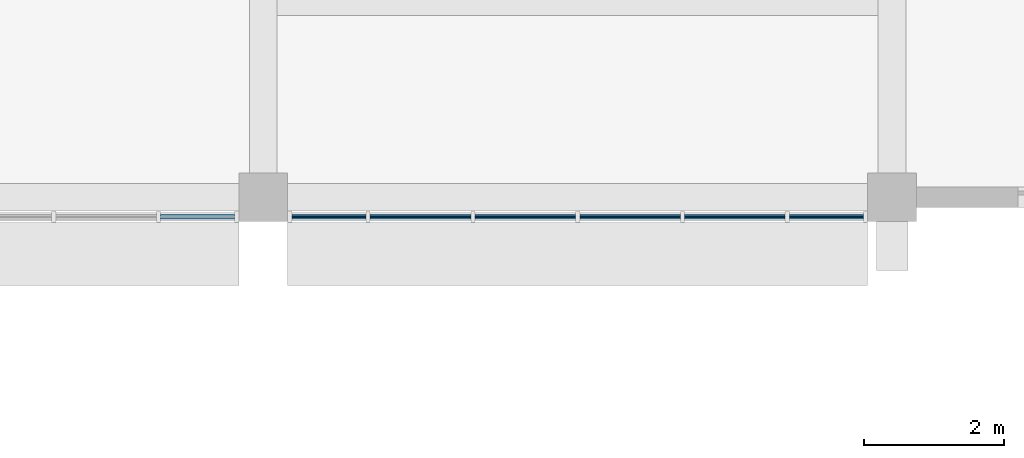
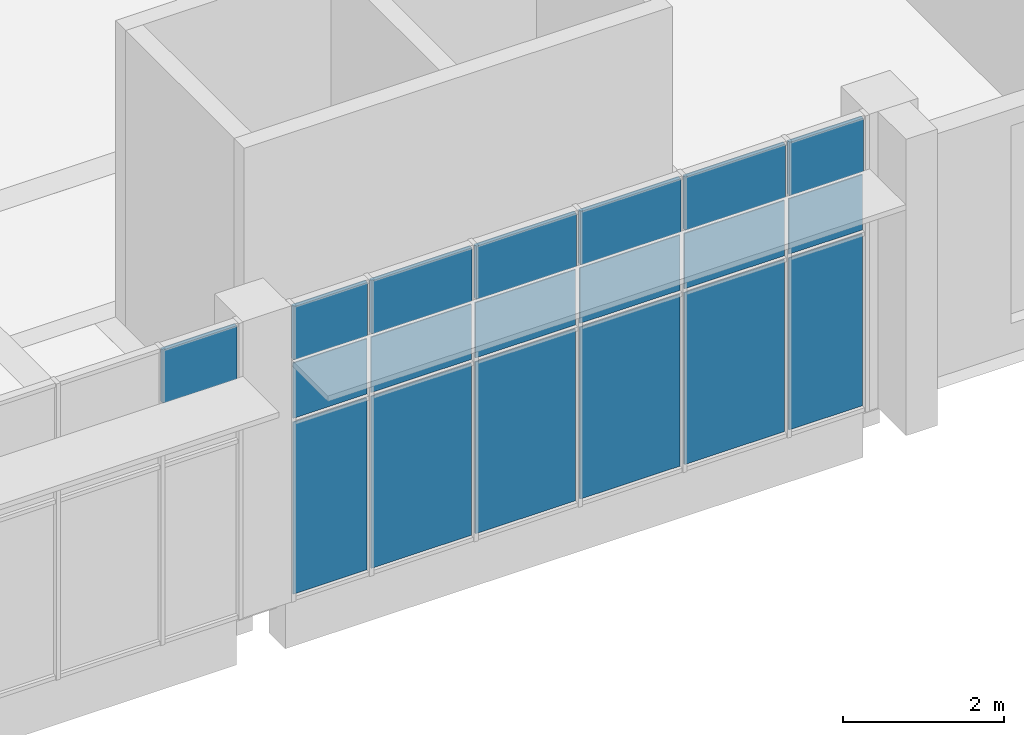
# One storey, part 16 of 40: 19 plates, 2 elements without a shape of their own.
"""IFC4 building model written with IfcOpenShell, lengths in metres."""

from ifc_helpers import new_model, si_unit, direction, frame, origin, origin_2d, place, context, subcontext, project, spatial, rectangle, extrude, material, layer, layer_set, type_object, element, aggregate, save


model = new_model("IFC4")

# Units and contexts
model_context = context("Model", 3, precision=1e-05, world=origin(), true_north=direction((0.0, 1.0)))
body_context = subcontext(model_context, "Body", "Model", "MODEL_VIEW")
ifc_project = project(units=[si_unit("LENGTHUNIT", "METRE"), si_unit("AREAUNIT", "SQUARE_METRE"), si_unit("VOLUMEUNIT", "CUBIC_METRE"), si_unit("PLANEANGLEUNIT", "RADIAN"), si_unit("MASSUNIT", "GRAM", prefix="KILO")], contexts=[model_context])

# Site, building, storey
site_placement = place(None, origin())
site = spatial("IfcSite", under=ifc_project, at=site_placement, CompositionType="ELEMENT")
building_placement = place(site_placement, origin())
building = spatial("IfcBuilding", under=site, at=building_placement, Name="Guidao Yard Department Store", CompositionType="ELEMENT")
storey_placement = place(building_placement, frame((0.0, 0.0, 24.0)))
storey = spatial("IfcBuildingStorey", under=building, at=storey_placement, Name="L05", CompositionType="ELEMENT", Elevation=24.0)

# Curtain wall, plate
ifc_material_1 = material(Name="Aluminium and glass", Category="aluminium")
ifc_layer_1 = layer(ifc_material_1, 0.159912109375)
ifc_layer_set_1 = layer_set([ifc_layer_1], Name="Hall front curtain wall CW2 1500 module")
curtain_wall_type = type_object("IfcCurtainWallType", Name="Hall front curtain wall CW2 1500 module", PredefinedType="NOTDEFINED", material=ifc_layer_set_1)
curtain_wall_1_placement = place(storey_placement, origin())
curtain_wall_1 = element("IfcCurtainWall", 1, at=curtain_wall_1_placement, inside=storey, type_object=curtain_wall_type, Name="Hall front curtain wall", PredefinedType="NOTDEFINED")
ifc_material_2 = material(Name="Aluminium 6063-T5 faced insulated spandrel", Category="aluminium")
ifc_layer_2 = layer(ifc_material_2, 0.06005859375)
ifc_layer_set_2 = layer_set([ifc_layer_2], Name="Spandrel panel SP1 insulated opaque")
plate_type_1 = type_object("IfcPlateType", Name="Spandrel panel SP1 insulated opaque", PredefinedType="CURTAIN_PANEL", material=ifc_layer_set_2)
plate_1_placement = place(storey_placement, frame((44.06005859375, 44.719970703125, 3.6298828125), z_axis=(0.0, 0.0, 1.0), x_axis=(-1.0, 0.0, 0.0)))
plate_1 = element("IfcPlate", 2, at=plate_1_placement, type_object=plate_type_1, Name="CW-HF-L05-04 panel 6.3", PredefinedType="CURTAIN_PANEL", context=body_context, shape_type="SweptSolid", body=[
    extrude(rectangle(XDim=1.06005859375, YDim=0.06005859375, at=origin_2d()), origin(), (0.0, 0.0, 1.0), 0.81005859375),
])
aggregate(curtain_wall_1, [plate_1])

# Curtain wall, plates
curtain_wall_2_placement = place(storey_placement, origin())
curtain_wall_2 = element("IfcCurtainWall", 3, at=curtain_wall_2_placement, inside=storey, type_object=curtain_wall_type, Name="Hall front curtain wall", PredefinedType="NOTDEFINED")
plate_2_placement = place(storey_placement, frame((45.93994140625, 44.719970703125, 3.6298828125), z_axis=(0.0, 0.0, 1.0), x_axis=(-1.0, 0.0, 0.0)))
plate_2 = element("IfcPlate", 4, at=plate_2_placement, type_object=plate_type_1, Name="CW-HF-L05-05 panel 1.3", PredefinedType="CURTAIN_PANEL", context=body_context, shape_type="SweptSolid", body=[
    extrude(rectangle(XDim=1.06005859375, YDim=0.06005859375, at=origin_2d()), origin(), (0.0, 0.0, 1.0), 0.81005859375),
])
plate_3_placement = place(storey_placement, frame((47.25, 44.719970703125, 3.6298828125), z_axis=(0.0, 0.0, 1.0), x_axis=(-1.0, 0.0, 0.0)))
plate_3 = element("IfcPlate", 5, at=plate_3_placement, type_object=plate_type_1, Name="CW-HF-L05-05 panel 2.3", PredefinedType="CURTAIN_PANEL", context=body_context, shape_type="SweptSolid", body=[
    extrude(rectangle(XDim=1.43994140625, YDim=0.06005859375, at=origin_2d()), origin(), (0.0, 0.0, 1.0), 0.81005859375),
])
plate_4_placement = place(storey_placement, frame((48.75, 44.719970703125, 3.6298828125), z_axis=(0.0, 0.0, 1.0), x_axis=(-1.0, 0.0, 0.0)))
plate_4 = element("IfcPlate", 6, at=plate_4_placement, type_object=plate_type_1, Name="CW-HF-L05-05 panel 3.3", PredefinedType="CURTAIN_PANEL", context=body_context, shape_type="SweptSolid", body=[
    extrude(rectangle(XDim=1.43994140625, YDim=0.06005859375, at=origin_2d()), origin(), (0.0, 0.0, 1.0), 0.81005859375),
])
plate_5_placement = place(storey_placement, frame((50.25, 44.719970703125, 3.6298828125), z_axis=(0.0, 0.0, 1.0), x_axis=(-1.0, 0.0, 0.0)))
plate_5 = element("IfcPlate", 7, at=plate_5_placement, type_object=plate_type_1, Name="CW-HF-L05-05 panel 4.3", PredefinedType="CURTAIN_PANEL", context=body_context, shape_type="SweptSolid", body=[
    extrude(rectangle(XDim=1.43994140625, YDim=0.06005859375, at=origin_2d()), origin(), (0.0, 0.0, 1.0), 0.81005859375),
])
plate_6_placement = place(storey_placement, frame((51.75, 44.719970703125, 3.6298828125), z_axis=(0.0, 0.0, 1.0), x_axis=(-1.0, 0.0, 0.0)))
plate_6 = element("IfcPlate", 8, at=plate_6_placement, type_object=plate_type_1, Name="CW-HF-L05-05 panel 5.3", PredefinedType="CURTAIN_PANEL", context=body_context, shape_type="SweptSolid", body=[
    extrude(rectangle(XDim=1.43994140625, YDim=0.06005859375, at=origin_2d()), origin(), (0.0, 0.0, 1.0), 0.81005859375),
])
plate_7_placement = place(storey_placement, frame((53.06005859375, 44.719970703125, 3.6298828125), z_axis=(0.0, 0.0, 1.0), x_axis=(-1.0, 0.0, 0.0)))
plate_7 = element("IfcPlate", 9, at=plate_7_placement, type_object=plate_type_1, Name="CW-HF-L05-05 panel 6.3", PredefinedType="CURTAIN_PANEL", context=body_context, shape_type="SweptSolid", body=[
    extrude(rectangle(XDim=1.06005859375, YDim=0.06005859375, at=origin_2d()), origin(), (0.0, 0.0, 1.0), 0.81005859375),
])
ifc_material_3 = material(Name="Laminated heat-soaked tempered glass", Category="glass")
ifc_layer_3 = layer(ifc_material_3, 0.017578125)
ifc_layer_set_3 = layer_set([ifc_layer_3], Name="Vision glass VG1 laminated heat-soaked tempered 8+8")
plate_type_2 = type_object("IfcPlateType", Name="Vision glass VG1 laminated heat-soaked tempered 8+8", PredefinedType="CURTAIN_PANEL", material=ifc_layer_set_3)
plate_8_placement = place(storey_placement, frame((45.93994140625, 44.719970703125, 0.06005859375), z_axis=(0.0, 0.0, 1.0), x_axis=(-1.0, 0.0, 0.0)))
plate_8 = element("IfcPlate", 10, at=plate_8_placement, type_object=plate_type_2, Name="CW-HF-L05-05 panel 1.1", PredefinedType="CURTAIN_PANEL", context=body_context, shape_type="SweptSolid", body=[
    extrude(rectangle(XDim=1.06005859375, YDim=0.017578125, at=origin_2d()), origin(), (0.0, 0.0, 1.0), 2.610107421875),
])
plate_9_placement = place(storey_placement, frame((45.93994140625, 44.719970703125, 2.72998046875), z_axis=(0.0, 0.0, 1.0), x_axis=(-1.0, 0.0, 0.0)))
plate_9 = element("IfcPlate", 11, at=plate_9_placement, type_object=plate_type_2, Name="CW-HF-L05-05 panel 1.2", PredefinedType="CURTAIN_PANEL", context=body_context, shape_type="SweptSolid", body=[
    extrude(rectangle(XDim=1.06005859375, YDim=0.017578125, at=origin_2d()), origin(), (0.0, 0.0, 1.0), 0.840087890625),
])
plate_10_placement = place(storey_placement, frame((47.25, 44.719970703125, 0.06005859375), z_axis=(0.0, 0.0, 1.0), x_axis=(-1.0, 0.0, 0.0)))
plate_10 = element("IfcPlate", 12, at=plate_10_placement, type_object=plate_type_2, Name="CW-HF-L05-05 panel 2.1", PredefinedType="CURTAIN_PANEL", context=body_context, shape_type="SweptSolid", body=[
    extrude(rectangle(XDim=1.43994140625, YDim=0.017578125, at=origin_2d()), origin(), (0.0, 0.0, 1.0), 2.610107421875),
])
plate_11_placement = place(storey_placement, frame((47.25, 44.719970703125, 2.72998046875), z_axis=(0.0, 0.0, 1.0), x_axis=(-1.0, 0.0, 0.0)))
plate_11 = element("IfcPlate", 13, at=plate_11_placement, type_object=plate_type_2, Name="CW-HF-L05-05 panel 2.2", PredefinedType="CURTAIN_PANEL", context=body_context, shape_type="SweptSolid", body=[
    extrude(rectangle(XDim=1.43994140625, YDim=0.017578125, at=origin_2d()), origin(), (0.0, 0.0, 1.0), 0.840087890625),
])
plate_12_placement = place(storey_placement, frame((48.75, 44.719970703125, 0.06005859375), z_axis=(0.0, 0.0, 1.0), x_axis=(-1.0, 0.0, 0.0)))
plate_12 = element("IfcPlate", 14, at=plate_12_placement, type_object=plate_type_2, Name="CW-HF-L05-05 panel 3.1", PredefinedType="CURTAIN_PANEL", context=body_context, shape_type="SweptSolid", body=[
    extrude(rectangle(XDim=1.43994140625, YDim=0.017578125, at=origin_2d()), origin(), (0.0, 0.0, 1.0), 2.610107421875),
])
plate_13_placement = place(storey_placement, frame((48.75, 44.719970703125, 2.72998046875), z_axis=(0.0, 0.0, 1.0), x_axis=(-1.0, 0.0, 0.0)))
plate_13 = element("IfcPlate", 15, at=plate_13_placement, type_object=plate_type_2, Name="CW-HF-L05-05 panel 3.2", PredefinedType="CURTAIN_PANEL", context=body_context, shape_type="SweptSolid", body=[
    extrude(rectangle(XDim=1.43994140625, YDim=0.017578125, at=origin_2d()), origin(), (0.0, 0.0, 1.0), 0.840087890625),
])
plate_14_placement = place(storey_placement, frame((50.25, 44.719970703125, 0.06005859375), z_axis=(0.0, 0.0, 1.0), x_axis=(-1.0, 0.0, 0.0)))
plate_14 = element("IfcPlate", 16, at=plate_14_placement, type_object=plate_type_2, Name="CW-HF-L05-05 panel 4.1", PredefinedType="CURTAIN_PANEL", context=body_context, shape_type="SweptSolid", body=[
    extrude(rectangle(XDim=1.43994140625, YDim=0.017578125, at=origin_2d()), origin(), (0.0, 0.0, 1.0), 2.610107421875),
])
plate_15_placement = place(storey_placement, frame((50.25, 44.719970703125, 2.72998046875), z_axis=(0.0, 0.0, 1.0), x_axis=(-1.0, 0.0, 0.0)))
plate_15 = element("IfcPlate", 17, at=plate_15_placement, type_object=plate_type_2, Name="CW-HF-L05-05 panel 4.2", PredefinedType="CURTAIN_PANEL", context=body_context, shape_type="SweptSolid", body=[
    extrude(rectangle(XDim=1.43994140625, YDim=0.017578125, at=origin_2d()), origin(), (0.0, 0.0, 1.0), 0.840087890625),
])
plate_16_placement = place(storey_placement, frame((51.75, 44.719970703125, 0.06005859375), z_axis=(0.0, 0.0, 1.0), x_axis=(-1.0, 0.0, 0.0)))
plate_16 = element("IfcPlate", 18, at=plate_16_placement, type_object=plate_type_2, Name="CW-HF-L05-05 panel 5.1", PredefinedType="CURTAIN_PANEL", context=body_context, shape_type="SweptSolid", body=[
    extrude(rectangle(XDim=1.43994140625, YDim=0.017578125, at=origin_2d()), origin(), (0.0, 0.0, 1.0), 2.610107421875),
])
plate_17_placement = place(storey_placement, frame((51.75, 44.719970703125, 2.72998046875), z_axis=(0.0, 0.0, 1.0), x_axis=(-1.0, 0.0, 0.0)))
plate_17 = element("IfcPlate", 19, at=plate_17_placement, type_object=plate_type_2, Name="CW-HF-L05-05 panel 5.2", PredefinedType="CURTAIN_PANEL", context=body_context, shape_type="SweptSolid", body=[
    extrude(rectangle(XDim=1.43994140625, YDim=0.017578125, at=origin_2d()), origin(), (0.0, 0.0, 1.0), 0.840087890625),
])
plate_18_placement = place(storey_placement, frame((53.06005859375, 44.719970703125, 0.06005859375), z_axis=(0.0, 0.0, 1.0), x_axis=(-1.0, 0.0, 0.0)))
plate_18 = element("IfcPlate", 20, at=plate_18_placement, type_object=plate_type_2, Name="CW-HF-L05-05 panel 6.1", PredefinedType="CURTAIN_PANEL", context=body_context, shape_type="SweptSolid", body=[
    extrude(rectangle(XDim=1.06005859375, YDim=0.017578125, at=origin_2d()), origin(), (0.0, 0.0, 1.0), 2.610107421875),
])
plate_19_placement = place(storey_placement, frame((53.06005859375, 44.719970703125, 2.72998046875), z_axis=(0.0, 0.0, 1.0), x_axis=(-1.0, 0.0, 0.0)))
plate_19 = element("IfcPlate", 21, at=plate_19_placement, type_object=plate_type_2, Name="CW-HF-L05-05 panel 6.2", PredefinedType="CURTAIN_PANEL", context=body_context, shape_type="SweptSolid", body=[
    extrude(rectangle(XDim=1.06005859375, YDim=0.017578125, at=origin_2d()), origin(), (0.0, 0.0, 1.0), 0.840087890625),
])
aggregate(curtain_wall_2, [plate_8, plate_9, plate_2, plate_10, plate_11, plate_3, plate_12, plate_13, plate_4, plate_14, plate_15, plate_5, plate_16, plate_17, plate_6, plate_18, plate_19, plate_7])

save(model, "model.ifc")
